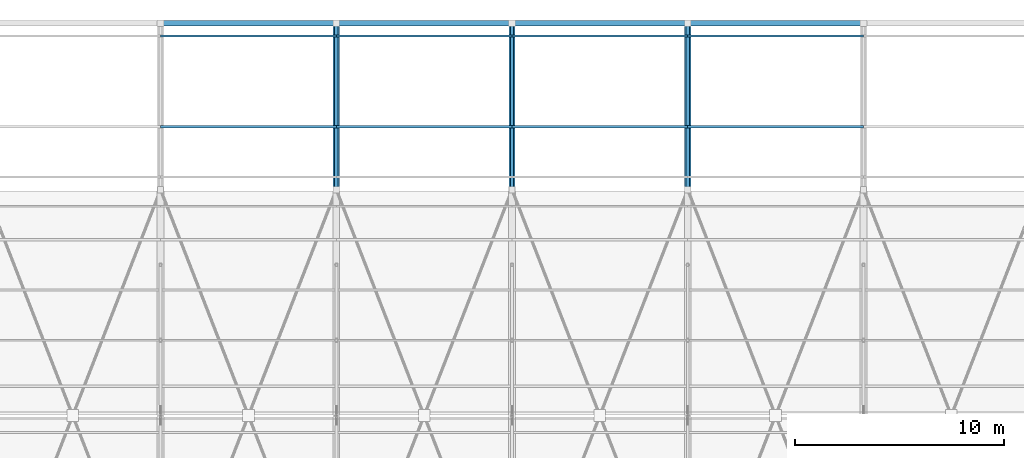
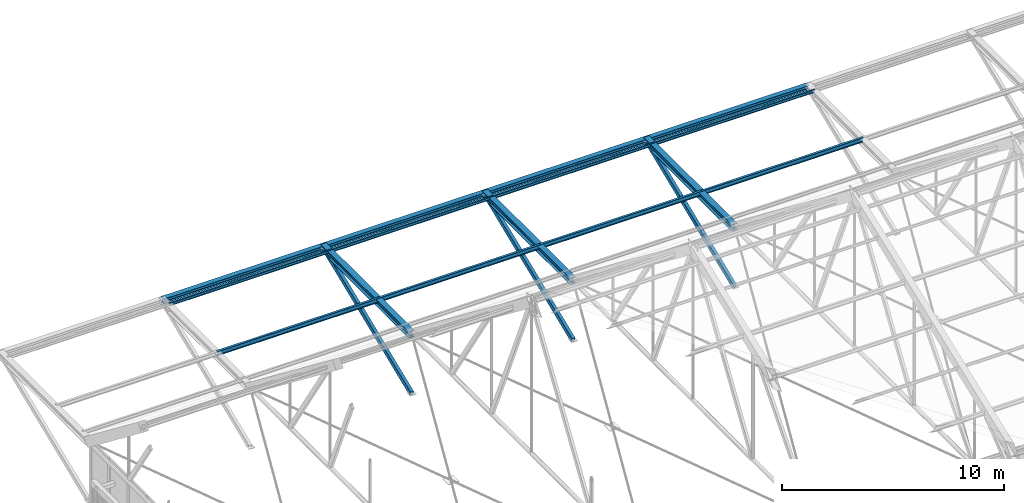
# One storey, part 124 of 217: 14 members, 4 beams.
"""IFC4 building model written with IfcOpenShell, lengths in metres."""

from ifc_helpers import new_model, si_unit, direction, frame, origin, origin_2d, place, context, subcontext, project, spatial, hollow_rectangle, i_section, extrude, material, material_profile, profile_set, type_object, element, save


model = new_model("IFC4")

# Units and contexts
model_context = context("Model", 3, precision=1e-05, world=origin(), true_north=direction((0.0, 1.0)))
body_context = subcontext(model_context, "Body", "Model", "MODEL_VIEW")
ifc_project = project(units=[si_unit("LENGTHUNIT", "METRE"), si_unit("AREAUNIT", "SQUARE_METRE"), si_unit("VOLUMEUNIT", "CUBIC_METRE"), si_unit("PLANEANGLEUNIT", "RADIAN"), si_unit("MASSUNIT", "GRAM", prefix="KILO")], contexts=[model_context])

# Site, building, storey
site_placement = place(None, origin())
site = spatial("IfcSite", under=ifc_project, at=site_placement, CompositionType="ELEMENT")
building_placement = place(site_placement, origin())
building = spatial("IfcBuilding", under=site, at=building_placement, Name="Mazaris Harbour Polytechnic", CompositionType="ELEMENT")
storey_placement = place(building_placement, frame((0.0, 0.0, 9.60009765625)))
storey = spatial("IfcBuildingStorey", under=building, at=storey_placement, Name="L02", CompositionType="ELEMENT", Elevation=9.60009765625)

# Beams
ifc_material_1 = material(Name="Steel S355", Category="steel")
ifc_material_profile_1 = material_profile(ifc_material_1, i_section(OverallWidth=0.260009765625, OverallDepth=0.25, WebThickness=0.007568359375, FlangeThickness=0.012451171875, FilletRadius=0.02392578125, at=origin_2d()), Name="HEA 260")
ifc_profile_set_1 = profile_set([ifc_material_profile_1], Name="Steel S355")
beam_type = type_object("IfcBeamType", Name="Steel Beam HEA260 Exterior", PredefinedType="SPANDREL", material=ifc_profile_set_1)
beam_1_placement = place(storey_placement, frame((62.39990234375, 115.949951171875, 3.75), z_axis=(1.0, 0.0, 0.0), x_axis=(0.0, 1.0, 0.0)))
element("IfcBeam", 1, at=beam_1_placement, inside=storey, type_object=beam_type, Name="V1 Eave Fascia Beam 2", PredefinedType="SPANDREL", context=body_context, shape_type="SweptSolid", body=[
    extrude(i_section(OverallWidth=0.260009765625, OverallDepth=0.25, WebThickness=0.007568359375, FlangeThickness=0.012451171875, FilletRadius=0.02392578125, at=origin_2d()), origin(), (0.0, 0.0, 1.0), 8.400146484375),
])
beam_2_placement = place(storey_placement, frame((70.800048828125, 115.949951171875, 3.75), z_axis=(1.0, 0.0, 0.0), x_axis=(0.0, 1.0, 0.0)))
element("IfcBeam", 2, at=beam_2_placement, inside=storey, type_object=beam_type, Name="V1 Eave Fascia Beam 3", PredefinedType="SPANDREL", context=body_context, shape_type="SweptSolid", body=[
    extrude(i_section(OverallWidth=0.260009765625, OverallDepth=0.25, WebThickness=0.007568359375, FlangeThickness=0.012451171875, FilletRadius=0.02392578125, at=origin_2d()), origin(), (0.0, 0.0, 1.0), 8.39990234375),
])
beam_3_placement = place(storey_placement, frame((79.199951171875, 115.949951171875, 3.75), z_axis=(1.0, 0.0, 0.0), x_axis=(0.0, 1.0, 0.0)))
element("IfcBeam", 3, at=beam_3_placement, inside=storey, type_object=beam_type, Name="V1 Eave Fascia Beam 4", PredefinedType="SPANDREL", context=body_context, shape_type="SweptSolid", body=[
    extrude(i_section(OverallWidth=0.260009765625, OverallDepth=0.25, WebThickness=0.007568359375, FlangeThickness=0.012451171875, FilletRadius=0.02392578125, at=origin_2d()), origin(), (0.0, 0.0, 1.0), 8.400146484375),
])
beam_4_placement = place(storey_placement, frame((87.60009765625, 115.949951171875, 3.75), z_axis=(1.0, 0.0, 0.0), x_axis=(0.0, 1.0, 0.0)))
element("IfcBeam", 4, at=beam_4_placement, inside=storey, type_object=beam_type, Name="V1 Eave Fascia Beam 5", PredefinedType="SPANDREL", context=body_context, shape_type="SweptSolid", body=[
    extrude(i_section(OverallWidth=0.260009765625, OverallDepth=0.25, WebThickness=0.007568359375, FlangeThickness=0.012451171875, FilletRadius=0.02392578125, at=origin_2d()), origin(), (0.0, 0.0, 1.0), 8.39990234375),
])

# Members
ifc_material_2 = material(Name="Steel S355", Category="steel")
ifc_material_profile_2 = material_profile(ifc_material_2, i_section(OverallWidth=0.300048828125, OverallDepth=0.360107421875, WebThickness=0.012451171875, FlangeThickness=0.0224609375, FilletRadius=0.027099609375, at=origin_2d()), Name="HEB 360")
ifc_profile_set_2 = profile_set([ifc_material_profile_2], Name="Steel S355")
member_type_1 = type_object("IfcMemberType", Name="Steel Eave Cantilever HEB360", PredefinedType="CHORD", material=ifc_profile_set_2)
for number, where, z_axis, x_axis, name in (
    (5, (70.800048828125, 108.0, 3.75), (0.0, 1.0, 0.0), (-1.0, 0.0, 0.0), "Truss 3 North Overhanging Eave Chord"),
    (6, (79.199951171875, 108.0, 3.75), (0.0, 1.0, 0.0), (-1.0, 0.0, 0.0), "Truss 4 North Overhanging Eave Chord"),
    (7, (87.60009765625, 108.0, 3.75), (0.0, 1.0, 0.0), (-1.0, 0.0, 0.0), "Truss 5 North Overhanging Eave Chord"),
):
    element("IfcMember", number, at=place(storey_placement, frame(where, z_axis=z_axis, x_axis=x_axis)), inside=storey, type_object=member_type_1, Name=name, PredefinedType="CHORD", context=body_context, shape_type="SweptSolid", body=[
        extrude(i_section(OverallWidth=0.300048828125, OverallDepth=0.360107421875, WebThickness=0.012451171875, FlangeThickness=0.0224609375, FilletRadius=0.027099609375, at=origin_2d()), origin(), (0.0, 0.0, 1.0), 7.949951171875),
    ])
ifc_material_3 = material(Name="Steel S355", Category="steel")
ifc_material_profile_3 = material_profile(ifc_material_3, hollow_rectangle(XDim=0.159912109375, YDim=0.260009765625, WallThickness=0.010009765625, at=origin_2d()), Name="RHS 160x260x10.0")
ifc_profile_set_3 = profile_set([ifc_material_profile_3], Name="Steel S355")
member_type_2 = type_object("IfcMemberType", Name="Steel Eave Strut RHS160x260", PredefinedType="BRACE", material=ifc_profile_set_3)
for number, where, z_axis, x_axis, name in (
    (8, (70.800048828125, 108.0, 0.5), (0.0, 0.925638848349, 0.378408142654), (-1.0, 0.0, 0.0), "Truss 3 North Eave Raking Strut"),
    (9, (79.199951171875, 108.0, 0.5), (0.0, 0.925638848349, 0.378408142654), (-1.0, 0.0, 0.0), "Truss 4 North Eave Raking Strut"),
    (10, (87.60009765625, 108.0, 0.5), (0.0, 0.925638848349, 0.378408142654), (-1.0, 0.0, 0.0), "Truss 5 North Eave Raking Strut"),
):
    element("IfcMember", number, at=place(storey_placement, frame(where, z_axis=z_axis, x_axis=x_axis)), inside=storey, type_object=member_type_2, Name=name, PredefinedType="BRACE", context=body_context, shape_type="SweptSolid", body=[
        extrude(hollow_rectangle(XDim=0.159912109375, YDim=0.260009765625, WallThickness=0.010009765625, at=origin_2d()), origin(), (0.0, 0.0, 1.0), 8.588623046875),
    ])
ifc_material_4 = material(Name="Steel S355", Category="steel")
ifc_material_profile_4 = material_profile(ifc_material_4, i_section(OverallWidth=0.08203125, OverallDepth=0.159912109375, WebThickness=0.0048828125, FlangeThickness=0.00732421875, FilletRadius=0.009033203125, at=origin_2d()), Name="IPE 160")
ifc_profile_set_4 = profile_set([ifc_material_profile_4], Name="Steel S355")
member_type_3 = type_object("IfcMemberType", Name="Steel Purlin IPE160 Exterior", PredefinedType="PURLIN", material=ifc_profile_set_4)
member_1_placement = place(storey_placement, frame((62.39990234375, 115.35009765625, 3.875), z_axis=(1.0, 0.0, 0.0), x_axis=(0.0, 1.0, 0.0)))
element("IfcMember", 11, at=member_1_placement, inside=storey, type_object=member_type_3, Name="V1 Roof Purlin N-42", PredefinedType="PURLIN", context=body_context, shape_type="SweptSolid", body=[
    extrude(i_section(OverallWidth=0.08203125, OverallDepth=0.159912109375, WebThickness=0.0048828125, FlangeThickness=0.00732421875, FilletRadius=0.009033203125, at=origin_2d()), origin(), (0.0, 0.0, 1.0), 8.400146484375),
])
member_2_placement = place(storey_placement, frame((70.800048828125, 115.35009765625, 3.875), z_axis=(1.0, 0.0, 0.0), x_axis=(0.0, 1.0, 0.0)))
element("IfcMember", 12, at=member_2_placement, inside=storey, type_object=member_type_3, Name="V1 Roof Purlin N-63", PredefinedType="PURLIN", context=body_context, shape_type="SweptSolid", body=[
    extrude(i_section(OverallWidth=0.08203125, OverallDepth=0.159912109375, WebThickness=0.0048828125, FlangeThickness=0.00732421875, FilletRadius=0.009033203125, at=origin_2d()), origin(), (0.0, 0.0, 1.0), 8.39990234375),
])
member_3_placement = place(storey_placement, frame((79.199951171875, 115.35009765625, 3.875), z_axis=(1.0, 0.0, 0.0), x_axis=(0.0, 1.0, 0.0)))
element("IfcMember", 13, at=member_3_placement, inside=storey, type_object=member_type_3, Name="V1 Roof Purlin N-84", PredefinedType="PURLIN", context=body_context, shape_type="SweptSolid", body=[
    extrude(i_section(OverallWidth=0.08203125, OverallDepth=0.159912109375, WebThickness=0.0048828125, FlangeThickness=0.00732421875, FilletRadius=0.009033203125, at=origin_2d()), origin(), (0.0, 0.0, 1.0), 8.400146484375),
])
member_4_placement = place(storey_placement, frame((87.60009765625, 115.35009765625, 3.875), z_axis=(1.0, 0.0, 0.0), x_axis=(0.0, 1.0, 0.0)))
element("IfcMember", 14, at=member_4_placement, inside=storey, type_object=member_type_3, Name="V1 Roof Purlin N-105", PredefinedType="PURLIN", context=body_context, shape_type="SweptSolid", body=[
    extrude(i_section(OverallWidth=0.08203125, OverallDepth=0.159912109375, WebThickness=0.0048828125, FlangeThickness=0.00732421875, FilletRadius=0.009033203125, at=origin_2d()), origin(), (0.0, 0.0, 1.0), 8.39990234375),
])
ifc_material_5 = material(Name="Steel S355", Category="steel")
ifc_material_profile_5 = material_profile(ifc_material_5, i_section(OverallWidth=0.1201171875, OverallDepth=0.239990234375, WebThickness=0.006103515625, FlangeThickness=0.009765625, FilletRadius=0.014892578125, at=origin_2d()), Name="IPE 240")
ifc_profile_set_5 = profile_set([ifc_material_profile_5], Name="Steel S355")
member_type_4 = type_object("IfcMemberType", Name="Steel Purlin IPE240 Exterior", PredefinedType="PURLIN", material=ifc_profile_set_5)
member_5_placement = place(storey_placement, frame((62.39990234375, 111.0, 3.8349609375), z_axis=(1.0, 0.0, 0.0), x_axis=(0.0, 1.0, 0.0)))
element("IfcMember", 15, at=member_5_placement, inside=storey, type_object=member_type_4, Name="V1 Roof Purlin N-41", PredefinedType="PURLIN", context=body_context, shape_type="SweptSolid", body=[
    extrude(i_section(OverallWidth=0.1201171875, OverallDepth=0.239990234375, WebThickness=0.006103515625, FlangeThickness=0.009765625, FilletRadius=0.014892578125, at=origin_2d()), origin(), (0.0, 0.0, 1.0), 8.400146484375),
])
member_6_placement = place(storey_placement, frame((70.800048828125, 111.0, 3.8349609375), z_axis=(1.0, 0.0, 0.0), x_axis=(0.0, 1.0, 0.0)))
element("IfcMember", 16, at=member_6_placement, inside=storey, type_object=member_type_4, Name="V1 Roof Purlin N-62", PredefinedType="PURLIN", context=body_context, shape_type="SweptSolid", body=[
    extrude(i_section(OverallWidth=0.1201171875, OverallDepth=0.239990234375, WebThickness=0.006103515625, FlangeThickness=0.009765625, FilletRadius=0.014892578125, at=origin_2d()), origin(), (0.0, 0.0, 1.0), 8.39990234375),
])
member_7_placement = place(storey_placement, frame((79.199951171875, 111.0, 3.8349609375), z_axis=(1.0, 0.0, 0.0), x_axis=(0.0, 1.0, 0.0)))
element("IfcMember", 17, at=member_7_placement, inside=storey, type_object=member_type_4, Name="V1 Roof Purlin N-83", PredefinedType="PURLIN", context=body_context, shape_type="SweptSolid", body=[
    extrude(i_section(OverallWidth=0.1201171875, OverallDepth=0.239990234375, WebThickness=0.006103515625, FlangeThickness=0.009765625, FilletRadius=0.014892578125, at=origin_2d()), origin(), (0.0, 0.0, 1.0), 8.400146484375),
])
member_8_placement = place(storey_placement, frame((87.60009765625, 111.0, 3.8349609375), z_axis=(1.0, 0.0, 0.0), x_axis=(0.0, 1.0, 0.0)))
element("IfcMember", 18, at=member_8_placement, inside=storey, type_object=member_type_4, Name="V1 Roof Purlin N-104", PredefinedType="PURLIN", context=body_context, shape_type="SweptSolid", body=[
    extrude(i_section(OverallWidth=0.1201171875, OverallDepth=0.239990234375, WebThickness=0.006103515625, FlangeThickness=0.009765625, FilletRadius=0.014892578125, at=origin_2d()), origin(), (0.0, 0.0, 1.0), 8.39990234375),
])

save(model, "model.ifc")
